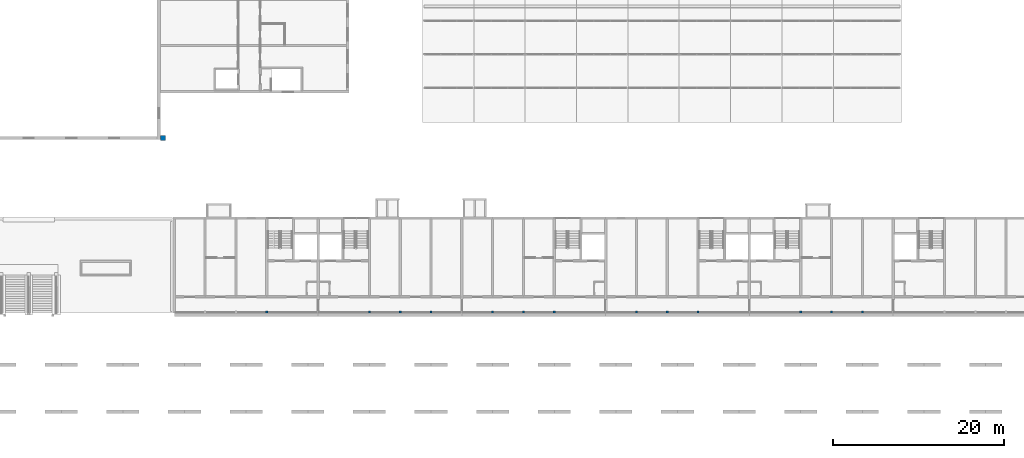
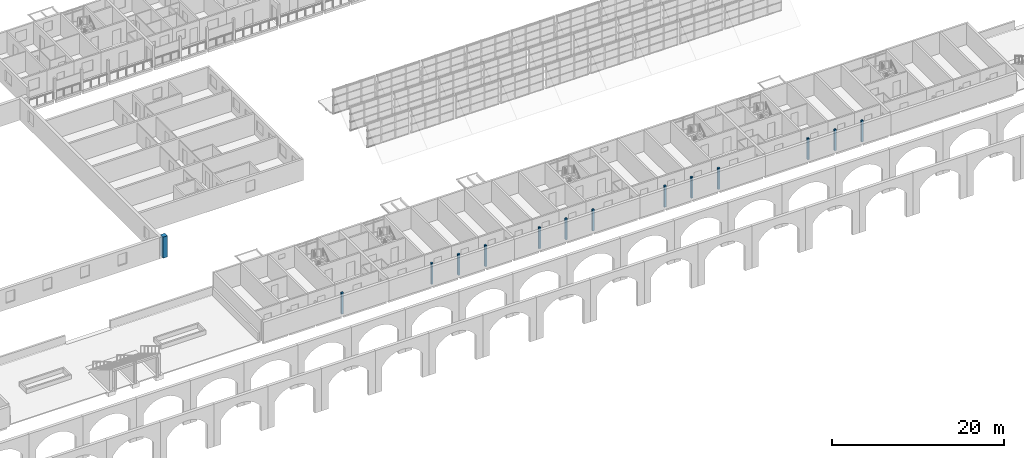
# One storey, part 6 of 122: 14 columns.
"""IFC4 building model written with IfcOpenShell, lengths in metres."""

from ifc_helpers import new_model, si_unit, direction, frame, origin, origin_2d, place, context, subcontext, project, spatial, rectangle, extrude, material, material_profile, profile_set, type_object, element, save


model = new_model("IFC4")

# Units and contexts
model_context = context("Model", 3, precision=1e-05, world=origin(), true_north=direction((0.0, 1.0)))
body_context = subcontext(model_context, "Body", "Model", "MODEL_VIEW")
ifc_project = project(units=[si_unit("LENGTHUNIT", "METRE"), si_unit("AREAUNIT", "SQUARE_METRE"), si_unit("VOLUMEUNIT", "CUBIC_METRE"), si_unit("PLANEANGLEUNIT", "RADIAN"), si_unit("MASSUNIT", "GRAM", prefix="KILO")], contexts=[model_context])

# Site, building, storey
site_placement = place(None, origin())
site = spatial("IfcSite", under=ifc_project, at=site_placement, CompositionType="ELEMENT")
building_placement = place(site_placement, origin())
building = spatial("IfcBuilding", under=site, at=building_placement, Name="Ridgestep Commons", CompositionType="ELEMENT")
storey_placement = place(building_placement, frame((0.0, 0.0, 3.0)))
storey = spatial("IfcBuildingStorey", under=building, at=storey_placement, Name="L01", CompositionType="ELEMENT", Elevation=3.0)

# Columns
ifc_material_1 = material(Name="Precast concrete C40/50", Category="concrete")
ifc_material_profile_1 = material_profile(ifc_material_1, rectangle(XDim=0.60009765625, YDim=0.60009765625, at=origin_2d()), Name="Buttress pier 600 x 600")
ifc_profile_set_1 = profile_set([ifc_material_profile_1], Name="Precast concrete C40/50")
column_type_1 = type_object("IfcColumnType", Name="Buttress pier 600 x 600", PredefinedType="COLUMN", material=ifc_profile_set_1)
column_placement = place(storey_placement, frame((145.5, 32.199951171875, 0.0), z_axis=(0.0, 0.0, 1.0), x_axis=(1.0, 0.0, 0.0)))
element("IfcColumn", 1, at=column_placement, inside=storey, type_object=column_type_1, Name="Hall vault buttress pier", PredefinedType="COLUMN", context=body_context, shape_type="SweptSolid", body=[
    extrude(rectangle(XDim=0.60009765625, YDim=0.60009765625, at=origin_2d()), origin(), (0.0, 0.0, 1.0), 3.0),
])
ifc_material_2 = material(Name="Precast concrete C40/50", Category="concrete")
ifc_material_profile_2 = material_profile(ifc_material_2, rectangle(XDim=0.25, YDim=0.25, at=origin_2d()), Name="PC 250x250")
ifc_profile_set_2 = profile_set([ifc_material_profile_2], Name="Precast concrete C40/50")
column_type_2 = type_object("IfcColumnType", Name="Loggia column 250 x 250", PredefinedType="COLUMN", material=ifc_profile_set_2)
for number, where, z_axis, x_axis, name in (
    (2, (157.60009765625, 11.875, 0.0), (0.0, 0.0, 1.0), (1.0, 0.0, 0.0), "Loggia column D L01"),
    (3, (169.60009765625, 11.875, 0.0), (0.0, 0.0, 1.0), (1.0, 0.0, 0.0), "Loggia column D L01"),
    (4, (173.199951171875, 11.875, 0.0), (0.0, 0.0, 1.0), (1.0, 0.0, 0.0), "Loggia column D L01"),
    (5, (176.800048828125, 11.875, 0.0), (0.0, 0.0, 1.0), (1.0, 0.0, 0.0), "Loggia column D L01"),
    (6, (184.0, 11.875, 0.0), (0.0, 0.0, 1.0), (1.0, 0.0, 0.0), "Loggia column D L01"),
    (7, (187.60009765625, 11.875, 0.0), (0.0, 0.0, 1.0), (1.0, 0.0, 0.0), "Loggia column D L01"),
    (8, (191.199951171875, 11.875, 0.0), (0.0, 0.0, 1.0), (1.0, 0.0, 0.0), "Loggia column D L01"),
    (9, (200.800048828125, 11.875, 0.0), (0.0, 0.0, 1.0), (1.0, 0.0, 0.0), "Loggia column D L01"),
    (10, (204.39990234375, 11.875, 0.0), (0.0, 0.0, 1.0), (1.0, 0.0, 0.0), "Loggia column D L01"),
    (11, (208.0, 11.875, 0.0), (0.0, 0.0, 1.0), (1.0, 0.0, 0.0), "Loggia column D L01"),
    (12, (220.0, 11.875, 0.0), (0.0, 0.0, 1.0), (1.0, 0.0, 0.0), "Loggia column D L01"),
    (13, (223.60009765625, 11.875, 0.0), (0.0, 0.0, 1.0), (1.0, 0.0, 0.0), "Loggia column D L01"),
    (14, (227.199951171875, 11.875, 0.0), (0.0, 0.0, 1.0), (1.0, 0.0, 0.0), "Loggia column D L01"),
):
    element("IfcColumn", number, at=place(storey_placement, frame(where, z_axis=z_axis, x_axis=x_axis)), inside=storey, type_object=column_type_2, Name=name, PredefinedType="COLUMN", context=body_context, shape_type="SweptSolid", body=[
        extrude(rectangle(XDim=0.25, YDim=0.25, at=origin_2d()), origin(), (0.0, 0.0, 1.0), 3.0),
    ])

save(model, "model.ifc")
